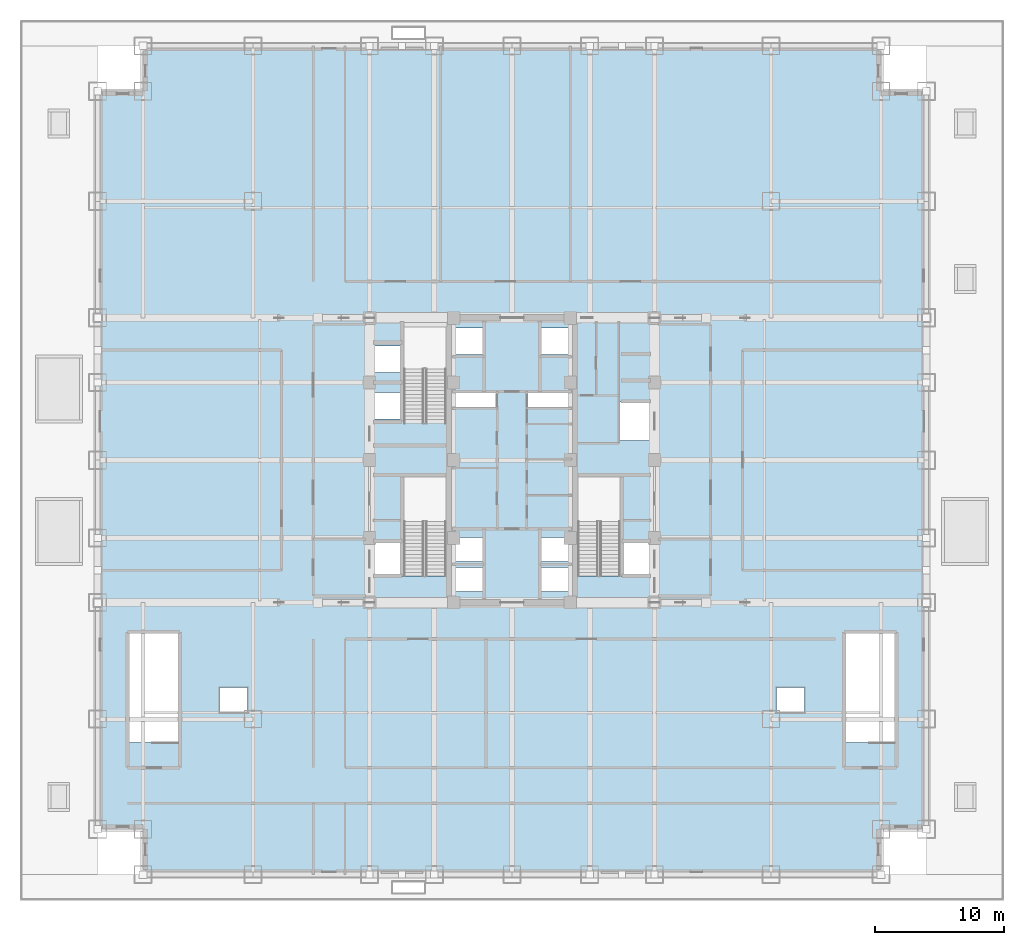
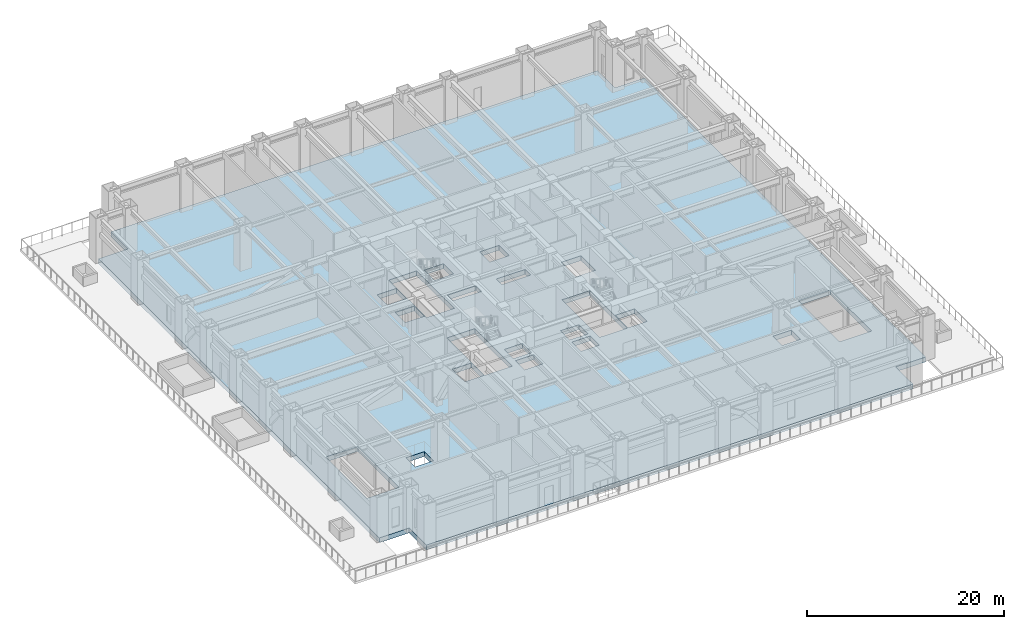
# One storey, part 8 of 21: 1 slab.
"""IFC4 building model written with IfcOpenShell, lengths in metres."""

from ifc_helpers import new_model, si_unit, direction, frame, origin, place, context, subcontext, project, spatial, polyline, outline, extrude, material, layer, layer_set, type_object, element, save


model = new_model("IFC4")

# Units and contexts
model_context = context("Model", 3, precision=1e-05, world=origin(), true_north=direction((0.0, 1.0)))
body_context = subcontext(model_context, "Body", "Model", "MODEL_VIEW")
ifc_project = project(units=[si_unit("LENGTHUNIT", "METRE"), si_unit("AREAUNIT", "SQUARE_METRE"), si_unit("VOLUMEUNIT", "CUBIC_METRE"), si_unit("PLANEANGLEUNIT", "RADIAN"), si_unit("MASSUNIT", "GRAM", prefix="KILO")], contexts=[model_context])

# Site, building, storey
site_placement = place(None, origin())
site = spatial("IfcSite", under=ifc_project, at=site_placement, CompositionType="ELEMENT")
building_placement = place(site_placement, origin())
building = spatial("IfcBuilding", under=site, at=building_placement, Name="Khorayat Bourse Tower", CompositionType="ELEMENT")
storey_placement = place(building_placement, frame((0.0, 0.0, 27.0)))
storey = spatial("IfcBuildingStorey", under=building, at=storey_placement, Name="L05", CompositionType="ELEMENT", Elevation=27.0)

# Slab
ifc_material = material(Name="Concrete C50/60", Category="concrete")
ifc_layer = layer(ifc_material, 0.60009765625)
ifc_layer_set = layer_set([ifc_layer], Name="Concrete C50/60")
slab_type = type_object("IfcSlabType", Name="SLB-TRANS-600", PredefinedType="FLOOR", material=ifc_layer_set)
slab_placement = place(storey_placement, frame((0.0, 0.0, -0.60009765625)))
element("IfcSlab", 1, at=slab_placement, inside=storey, type_object=slab_type, Name="L05 Main Floor Slab", PredefinedType="FLOOR", context=body_context, shape_type="SweptSolid", body=[
    extrude(outline(polyline([(-28.5, -32.0), (28.5, -32.0), (28.5, -28.5), (32.0, -28.5), (32.0, 28.5), (28.5, 28.5), (28.5, 32.0), (-28.5, 32.0), (-28.5, 28.5), (-32.0, 28.5), (-32.0, -28.5), (-28.5, -28.5), (-28.5, -32.0)]), holes=[polyline([(-8.35009765625, -8.945068359375), (-5.10009765625, -8.945068359375), (-5.10009765625, -1.300048828125), (-8.35009765625, -1.300048828125), (-8.35009765625, -8.945068359375)]), polyline([(-8.35009765625, 2.85498046875), (-5.10009765625, 2.85498046875), (-5.10009765625, 10.5), (-8.35009765625, 10.5), (-8.35009765625, 2.85498046875)]), polyline([(5.10009765625, -8.945068359375), (8.35009765625, -8.945068359375), (8.35009765625, -1.300048828125), (5.10009765625, -1.300048828125), (5.10009765625, -8.945068359375)]), polyline([(-29.550048828125, -21.794921875), (-25.800048828125, -21.794921875), (-25.800048828125, -13.39990234375), (-29.550048828125, -13.39990234375), (-29.550048828125, -21.794921875)]), polyline([(25.800048828125, -21.794921875), (29.550048828125, -21.794921875), (29.550048828125, -13.39990234375), (25.800048828125, -13.39990234375), (25.800048828125, -21.794921875)]), polyline([(-4.3798828125, -10.1298828125), (-2.219970703125, -10.1298828125), (-2.219970703125, -8.27001953125), (-4.3798828125, -8.27001953125), (-4.3798828125, -10.1298828125)]), polyline([(2.219970703125, -10.1298828125), (4.3798828125, -10.1298828125), (4.3798828125, -8.27001953125), (2.219970703125, -8.27001953125), (2.219970703125, -10.1298828125)]), polyline([(-4.3798828125, -7.830078125), (-2.219970703125, -7.830078125), (-2.219970703125, -5.969970703125), (-4.3798828125, -5.969970703125), (-4.3798828125, -7.830078125)]), polyline([(2.219970703125, -7.830078125), (4.3798828125, -7.830078125), (4.3798828125, -5.969970703125), (2.219970703125, -5.969970703125), (2.219970703125, -7.830078125)]), polyline([(-4.3798828125, 8.169921875), (-2.1201171875, 8.169921875), (-2.1201171875, 10.22998046875), (-4.3798828125, 10.22998046875), (-4.3798828125, 8.169921875)]), polyline([(2.1201171875, 8.169921875), (4.3798828125, 8.169921875), (4.3798828125, 10.22998046875), (2.1201171875, 10.22998046875), (2.1201171875, 8.169921875)]), polyline([(-10.679931640625, 3.169921875), (-8.419921875, 3.169921875), (-8.419921875, 5.22998046875), (-10.679931640625, 5.22998046875), (-10.679931640625, 3.169921875)]), polyline([(-10.679931640625, 6.77001953125), (-8.419921875, 6.77001953125), (-8.419921875, 8.830078125), (-10.679931640625, 8.830078125), (-10.679931640625, 6.77001953125)]), polyline([(-22.580078125, -19.429931640625), (-20.419921875, -19.429931640625), (-20.419921875, -17.570068359375), (-22.580078125, -17.570068359375), (-22.580078125, -19.429931640625)]), polyline([(20.419921875, -19.429931640625), (22.580078125, -19.429931640625), (22.580078125, -17.570068359375), (20.419921875, -17.570068359375), (20.419921875, -19.429931640625)]), polyline([(-10.679931640625, -8.929931640625), (-8.419921875, -8.929931640625), (-8.419921875, -6.3701171875), (-10.679931640625, -6.3701171875), (-10.679931640625, -8.929931640625)]), polyline([(8.419921875, -8.929931640625), (10.679931640625, -8.929931640625), (10.679931640625, -6.3701171875), (8.419921875, -6.3701171875), (8.419921875, -8.929931640625)]), polyline([(8.320068359375, 1.52001953125), (10.679931640625, 1.52001953125), (10.679931640625, 4.47998046875), (8.320068359375, 4.47998046875), (8.320068359375, 1.52001953125)]), polyline([(-4.56005859375, 4.080078125), (-1.18994140625, 4.080078125), (-1.18994140625, 5.219970703125), (-4.56005859375, 5.219970703125), (-4.56005859375, 4.080078125)]), polyline([(1.18994140625, 4.080078125), (4.56005859375, 4.080078125), (4.56005859375, 5.219970703125), (1.18994140625, 5.219970703125), (1.18994140625, 4.080078125)])]), origin(), (0.0, 0.0, 1.0), 0.60009765625),
])

save(model, "model.ifc")
